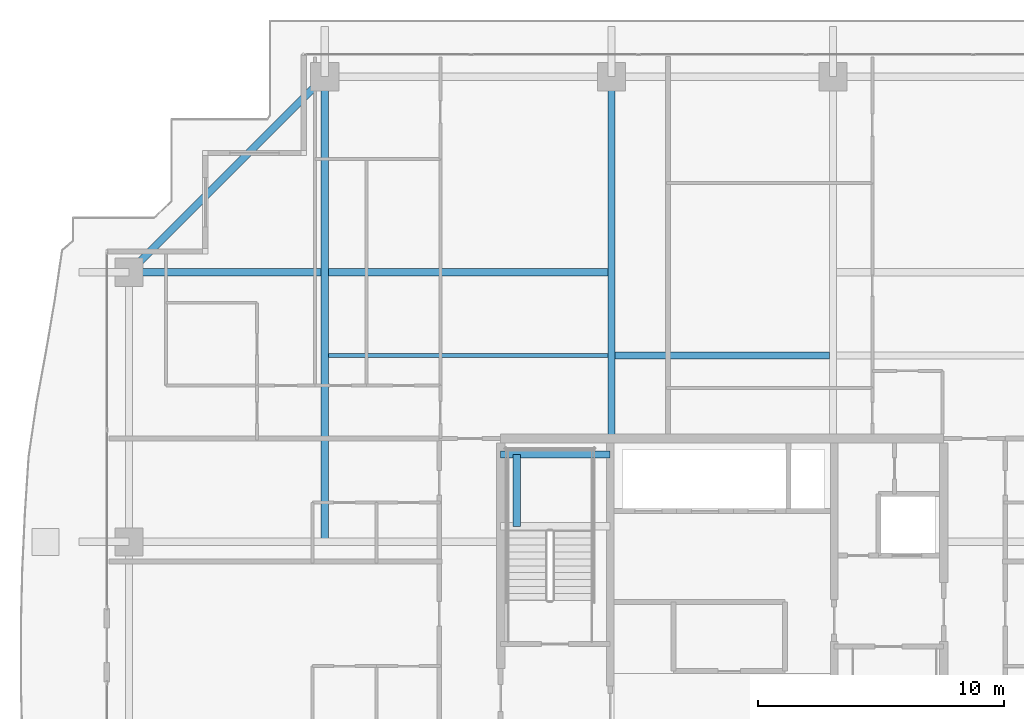
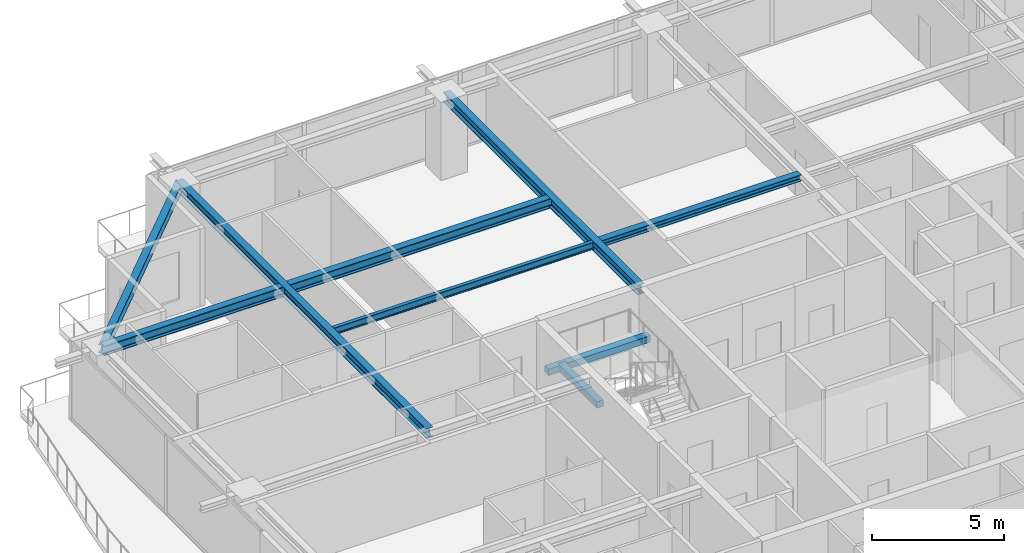
# One storey, part 18 of 36: 8 beams.
"""IFC4 building model written with IfcOpenShell, lengths in metres."""

from ifc_helpers import new_model, si_unit, direction, frame, origin, origin_2d, place, context, subcontext, project, spatial, rectangle, i_section, extrude, source, transform, mapped, material, material_profile, profile_set, type_object, element, save


model = new_model("IFC4")

# Units and contexts
model_context = context("Model", 3, precision=1e-05, world=origin(), true_north=direction((0.0, 1.0)))
body_context = subcontext(model_context, "Body", "Model", "MODEL_VIEW")
ifc_project = project(units=[si_unit("LENGTHUNIT", "METRE"), si_unit("AREAUNIT", "SQUARE_METRE"), si_unit("VOLUMEUNIT", "CUBIC_METRE"), si_unit("PLANEANGLEUNIT", "RADIAN"), si_unit("MASSUNIT", "GRAM", prefix="KILO")], contexts=[model_context])

# Site, building, storey
site_placement = place(None, origin())
site = spatial("IfcSite", under=ifc_project, at=site_placement, CompositionType="ELEMENT")
building_placement = place(site_placement, origin())
building = spatial("IfcBuilding", under=site, at=building_placement, Name="Serunith Strait Residences", CompositionType="ELEMENT")
storey_placement = place(building_placement, frame((0.0, 0.0, 256.64990234375)))
storey = spatial("IfcBuildingStorey", under=building, at=storey_placement, Name="L64", CompositionType="ELEMENT", Elevation=256.64990234375)

# Beams
ifc_material_1 = material(Name="Steel S355J2", Category="steel")
ifc_material_profile_1 = material_profile(ifc_material_1, i_section(OverallWidth=0.300048828125, OverallDepth=0.300048828125, WebThickness=0.010986328125, FlangeThickness=0.01904296875, FilletRadius=0.027099609375, at=origin_2d()), Name="HEB 300")
ifc_profile_set_1 = profile_set([ifc_material_profile_1], Name="Steel S355J2")
beam_type_1 = type_object("IfcBeamType", Name="BM-HEB300", PredefinedType="JOIST", material=ifc_profile_set_1)
shared_shape_1 = source(origin(), body_context, "Body", "SweptSolid", [
    extrude(i_section(OverallWidth=0.300048828125, OverallDepth=0.300048828125, WebThickness=0.010986328125, FlangeThickness=0.01904296875, FilletRadius=0.027099609375, at=origin_2d()), origin(), (0.0, 0.0, 1.0), 8.699951171875),
])
beam_1_placement = place(storey_placement, frame((28.050048828125, 36.97509765625, 3.43701171875), z_axis=(1.0, 0.0, 0.0), x_axis=(0.0, 1.0, 0.0)))
element("IfcBeam", 1, at=beam_1_placement, inside=storey, type_object=beam_type_1, Name="L64 Composite Floor Joist 05", PredefinedType="JOIST", context=body_context, shape_type="MappedRepresentation", body=[
    mapped(shared_shape_1, transform((0.0, 0.0, 0.0), scale=1.0)),
])
ifc_material_profile_2 = material_profile(ifc_material_1, i_section(OverallWidth=0.300048828125, OverallDepth=0.449951171875, WebThickness=0.013916015625, FlangeThickness=0.02587890625, FilletRadius=0.027099609375, at=origin_2d()), Name="HEB 450")
ifc_profile_set_2 = profile_set([ifc_material_profile_2], Name="Steel S355J2")
beam_type_2 = type_object("IfcBeamType", Name="BM-HEB450", PredefinedType="BEAM", material=ifc_profile_set_2)
shared_shape_2 = source(origin(), body_context, "Body", "SweptSolid", [
    extrude(i_section(OverallWidth=0.300048828125, OverallDepth=0.449951171875, WebThickness=0.013916015625, FlangeThickness=0.02587890625, FilletRadius=0.027099609375, at=origin_2d()), origin(), (0.0, 0.0, 1.0), 14.699951171875),
])
beam_2_placement = place(storey_placement, frame((27.89990234375, 33.60009765625, 3.362060546875), z_axis=(0.0, 1.0, 0.0), x_axis=(-1.0, 0.0, 0.0)))
element("IfcBeam", 2, at=beam_2_placement, inside=storey, type_object=beam_type_2, Name="L64 Primary Floor Girder TC-N2", PredefinedType="BEAM", context=body_context, shape_type="MappedRepresentation", body=[
    mapped(shared_shape_2, transform((0.0, 0.0, 0.0), scale=1.0)),
])
shared_shape_3 = source(origin(), body_context, "Body", "SweptSolid", [
    extrude(i_section(OverallWidth=0.300048828125, OverallDepth=0.449951171875, WebThickness=0.013916015625, FlangeThickness=0.02587890625, FilletRadius=0.027099609375, at=origin_2d()), origin(), (0.0, 0.0, 1.0), 18.900146484375),
])
beam_3_placement = place(storey_placement, frame((16.25, 29.39990234375, 3.362060546875), z_axis=(0.0, 1.0, 0.0), x_axis=(-1.0, 0.0, 0.0)))
element("IfcBeam", 3, at=beam_3_placement, inside=storey, type_object=beam_type_2, Name="L64 Orthogonal Corner Girder TC-N1", PredefinedType="BEAM", context=body_context, shape_type="MappedRepresentation", body=[
    mapped(shared_shape_3, transform((0.0, 0.0, 0.0), scale=1.0)),
])
shared_shape_4 = source(origin(), body_context, "Body", "SweptSolid", [
    extrude(i_section(OverallWidth=0.300048828125, OverallDepth=0.449951171875, WebThickness=0.013916015625, FlangeThickness=0.02587890625, FilletRadius=0.027099609375, at=origin_2d()), origin(), (0.0, 0.0, 1.0), 19.599853515625),
])
beam_4_placement = place(storey_placement, frame((27.89990234375, 40.35009765625, 3.362060546875), z_axis=(-1.0, 0.0, 0.0), x_axis=(0.0, -1.0, 0.0)))
element("IfcBeam", 4, at=beam_4_placement, inside=storey, type_object=beam_type_2, Name="L64 Orthogonal Corner Girder TC-W4", PredefinedType="BEAM", context=body_context, shape_type="MappedRepresentation", body=[
    mapped(shared_shape_4, transform((0.0, 0.0, 0.0), scale=1.0)),
])
ifc_material_profile_3 = material_profile(ifc_material_1, i_section(OverallWidth=0.300048828125, OverallDepth=0.39990234375, WebThickness=0.013427734375, FlangeThickness=0.02392578125, FilletRadius=0.027099609375, at=origin_2d()), Name="HEB 400")
ifc_profile_set_3 = profile_set([ifc_material_profile_3], Name="Steel S355J2")
beam_type_3 = type_object("IfcBeamType", Name="BM-HEB400", PredefinedType="BEAM", material=ifc_profile_set_3)
shared_shape_5 = source(origin(), body_context, "Body", "SweptSolid", [
    extrude(i_section(OverallWidth=0.300048828125, OverallDepth=0.39990234375, WebThickness=0.013427734375, FlangeThickness=0.02392578125, FilletRadius=0.027099609375, at=origin_2d()), origin(), (0.0, 0.0, 1.0), 11.242919921875),
])
beam_5_placement = place(storey_placement, frame((16.25, 48.300048828125, 3.357177734375), z_axis=(-0.707106781187, -0.707106781187, 0.0), x_axis=(0.707106781187, -0.707106781187, 0.0)))
element("IfcBeam", 5, at=beam_5_placement, inside=storey, type_object=beam_type_3, Name="L64 Perimeter Ring Beam 12", PredefinedType="BEAM", context=body_context, shape_type="MappedRepresentation", body=[
    mapped(shared_shape_5, transform((0.0, 0.0, 0.0), scale=1.0)),
])
ifc_material_profile_4 = material_profile(ifc_material_1, i_section(OverallWidth=0.159912109375, OverallDepth=0.330078125, WebThickness=0.007568359375, FlangeThickness=0.011474609375, FilletRadius=0.01806640625, at=origin_2d()), Name="IPE 330")
ifc_profile_set_4 = profile_set([ifc_material_profile_4], Name="Steel S355J2")
beam_type_4 = type_object("IfcBeamType", Name="BM-IPE330", PredefinedType="JOIST", material=ifc_profile_set_4)
shared_shape_6 = source(origin(), body_context, "Body", "SweptSolid", [
    extrude(i_section(OverallWidth=0.159912109375, OverallDepth=0.330078125, WebThickness=0.007568359375, FlangeThickness=0.011474609375, FilletRadius=0.01806640625, at=origin_2d()), origin(), (0.0, 0.0, 1.0), 11.35009765625),
])
beam_6_placement = place(storey_placement, frame((16.39990234375, 36.97509765625, 3.422119140625), z_axis=(1.0, 0.0, 0.0), x_axis=(0.0, 1.0, 0.0)))
element("IfcBeam", 6, at=beam_6_placement, inside=storey, type_object=beam_type_4, Name="L64 Composite Floor Joist 04", PredefinedType="JOIST", context=body_context, shape_type="MappedRepresentation", body=[
    mapped(shared_shape_6, transform((0.0, 0.0, 0.0), scale=1.0)),
])
ifc_material_2 = material(Name="Concrete C60/75", Category="concrete")
ifc_material_profile_5 = material_profile(ifc_material_2, rectangle(XDim=0.300048828125, YDim=0.300048828125, at=origin_2d()), Name="RC 300x300")
ifc_profile_set_5 = profile_set([ifc_material_profile_5], Name="Concrete C60/75")
beam_type_5 = type_object("IfcBeamType", Name="BM-LAND-300x300", PredefinedType="BEAM", material=ifc_profile_set_5)
shared_shape_7 = source(origin(), body_context, "Body", "SweptSolid", [
    extrude(rectangle(XDim=0.300048828125, YDim=0.300048828125, at=origin_2d()), origin(), (0.0, 0.0, 1.0), 4.4501953125),
])
beam_7_placement = place(storey_placement, frame((23.39990234375, 32.949951171875, 1.5751953125), z_axis=(1.0, 0.0, 0.0), x_axis=(0.0, 1.0, 0.0)))
element("IfcBeam", 7, at=beam_7_placement, inside=storey, type_object=beam_type_5, Name="L64 ST-1 Landing Support Beam 2", PredefinedType="BEAM", context=body_context, shape_type="MappedRepresentation", body=[
    mapped(shared_shape_7, transform((0.0, 0.0, 0.0), scale=1.0)),
])
shared_shape_8 = source(origin(), body_context, "Body", "SweptSolid", [
    extrude(rectangle(XDim=0.300048828125, YDim=0.300048828125, at=origin_2d()), origin(), (0.0, 0.0, 1.0), 2.919921875),
])
beam_8_placement = place(storey_placement, frame((24.050048828125, 30.030029296875, 1.5751953125), z_axis=(0.0, 1.0, 0.0), x_axis=(-1.0, 0.0, 0.0)))
element("IfcBeam", 8, at=beam_8_placement, inside=storey, type_object=beam_type_5, Name="L64 ST-1 Landing Transverse Tie Beam", PredefinedType="BEAM", context=body_context, shape_type="MappedRepresentation", body=[
    mapped(shared_shape_8, transform((0.0, 0.0, 0.0), scale=1.0)),
])

save(model, "model.ifc")
